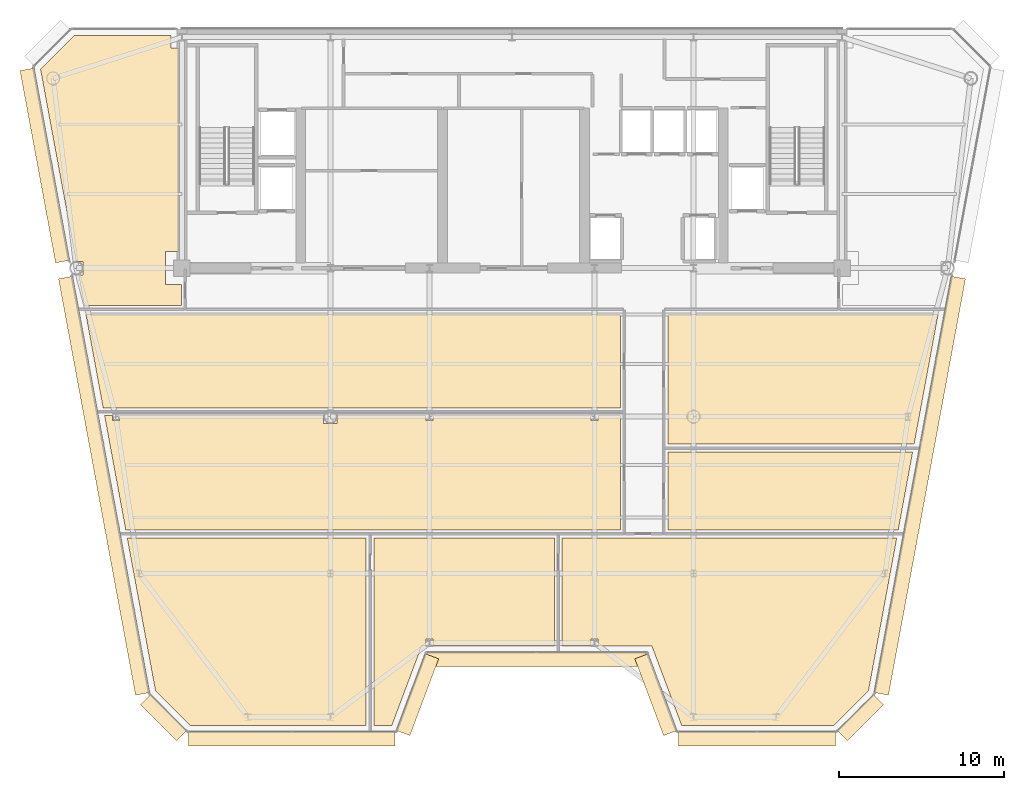
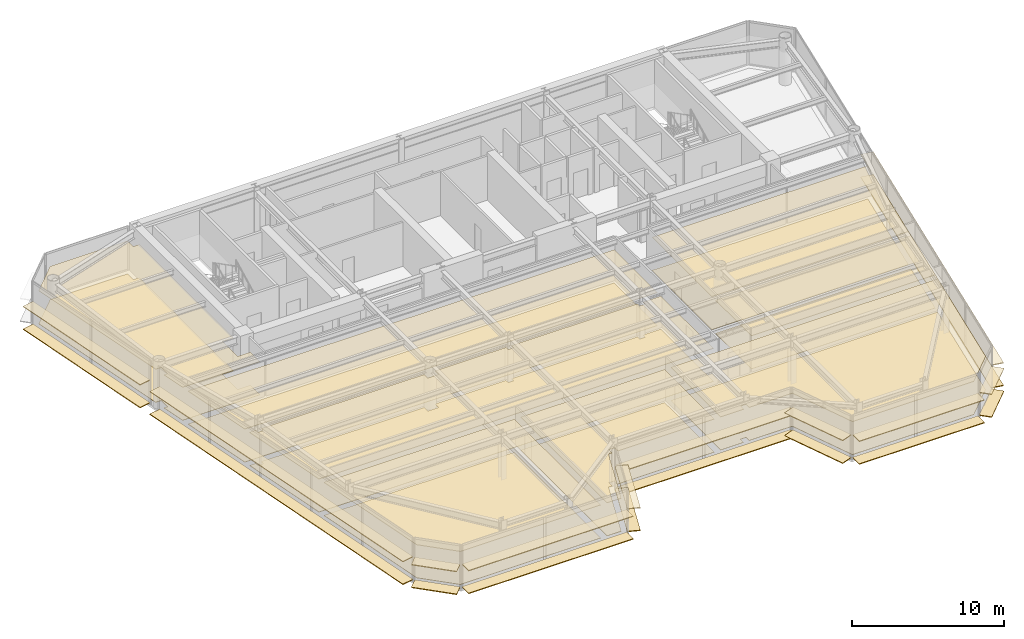
# One storey, part 14 of 17: 36 coverings.
"""IFC4 building model written with IfcOpenShell, lengths in metres."""

import ifcopenshell
import ifcopenshell.guid

model = None  # the IFC model being written
_history = None  # IfcOwnerHistory: only IFC2X3 demands one
_inside = {}  # id of a spatial element -> (the spatial element, [elements in it])
_under = {}  # id of a project, library or spatial element -> (it, [spatial elements below it])
_declared = {}  # id of a project -> (the project, [libraries it declares])
_typed = {}  # id of a type object -> (the type object, [elements of that type])
_made_of = {}  # id of a material, layer set ... -> (it, [elements and type objects made of it])


def new_model(schema):
    """Start an empty IFC model of exactly this schema.

    Asked for "IFC4X3", IfcOpenShell would pick the latest addendum, in which some entities
    have other attributes; the version numbers below select the first issue.
    IFC2X3 requires an IfcOwnerHistory on every rooted entity: one is made here for all.
    """
    global model, _history
    if schema == "IFC4X3":
        model = ifcopenshell.file(schema_version=(4, 3, 0, 0))
    else:
        model = ifcopenshell.file(schema=schema)
    _inside.clear()
    _under.clear()
    _declared.clear()
    _typed.clear()
    _made_of.clear()
    _history = None
    if model.schema == "IFC2X3":
        org = make("IfcOrganization", Name="unknown")
        user = make(
            "IfcPersonAndOrganization",
            ThePerson=make("IfcPerson", FamilyName="unknown"),
            TheOrganization=org,
        )
        app = make(
            "IfcApplication",
            ApplicationDeveloper=org,
            Version="unknown",
            ApplicationFullName="unknown",
            ApplicationIdentifier="unknown",
        )
        _history = make(
            "IfcOwnerHistory",
            OwningUser=user,
            OwningApplication=app,
            ChangeAction="ADDED",
            CreationDate=0,
        )
    return model


def make(cls, **values):
    """One entity of the class cls with the attributes given. An attribute that is None is left unset."""
    return model.create_entity(
        cls, **{name: value for name, value in values.items() if value is not None}
    )


def rooted(cls, **values):
    """An entity with a GlobalId (a new one), such as an element, a storey or a relation."""
    return make(cls, GlobalId=ifcopenshell.guid.new(), OwnerHistory=_history, **values)


def si_unit(unit_type, name, prefix=None):
    """IfcSIUnit, for example si_unit("LENGTHUNIT", "METRE", prefix="MILLI")."""
    return make("IfcSIUnit", UnitType=unit_type, Prefix=prefix, Name=name)


def assignment(units):
    """IfcUnitAssignment: the units of a project."""
    return None if units is None else make("IfcUnitAssignment", Units=units)


def point(xyz):
    """IfcCartesianPoint."""
    return None if xyz is None else make("IfcCartesianPoint", Coordinates=xyz)


def direction(xyz):
    """IfcDirection."""
    return None if xyz is None else make("IfcDirection", DirectionRatios=xyz)


def frame(location, z_axis=None, x_axis=None):
    """IfcAxis2Placement3D, a coordinate frame: its origin and axes. An axis left out is left unset."""
    return make(
        "IfcAxis2Placement3D",
        Location=point(location),
        Axis=direction(z_axis),
        RefDirection=direction(x_axis),
    )


def frame_2d(location, x_axis=None):
    """IfcAxis2Placement2D, a coordinate frame in the plane: its origin and x axis."""
    return make(
        "IfcAxis2Placement2D", Location=point(location), RefDirection=direction(x_axis)
    )


def origin():
    """The frame at (0, 0, 0) with its axes left unset."""
    return frame((0.0, 0.0, 0.0))


def origin_2d():
    """The frame at (0, 0) in the plane with its x axis left unset."""
    return frame_2d((0.0, 0.0))


def place(relative_to, where):
    """IfcLocalPlacement: puts the frame where relative to a parent placement (None: the world)."""
    return make(
        "IfcLocalPlacement", PlacementRelTo=relative_to, RelativePlacement=where
    )


def context(
    kind, dimensions, precision=None, world=None, true_north=None, identifier=None
):
    """IfcGeometricRepresentationContext, for example the 3D "Model" context."""
    return make(
        "IfcGeometricRepresentationContext",
        ContextIdentifier=identifier,
        ContextType=kind,
        CoordinateSpaceDimension=dimensions,
        Precision=precision,
        WorldCoordinateSystem=world,
        TrueNorth=true_north,
    )


def subcontext(parent, identifier, kind, view, scale=None):
    """IfcGeometricRepresentationSubContext, for example "Body" below "Model"."""
    return make(
        "IfcGeometricRepresentationSubContext",
        ContextIdentifier=identifier,
        ContextType=kind,
        ParentContext=parent,
        TargetScale=scale,
        TargetView=view,
    )


def project(units=None, contexts=None):
    """IfcProject with its units and contexts."""
    return rooted(
        "IfcProject",
        Name="project",
        RepresentationContexts=contexts,
        UnitsInContext=assignment(units),
    )


def spatial(cls, under=None, at=None, **own):
    """A site, building, storey or space (cls), placed at a placement, below another one or the project."""
    s = rooted(cls, ObjectPlacement=at, **own)
    if under is not None:
        _under.setdefault(under.id(), (under, []))[1].append(s)
    return s


def polyline(points):
    """IfcPolyline through the points."""
    return make("IfcPolyline", Points=[point(p) for p in points])


def profile(cls, at=None, kind="AREA", **sizes):
    """A parametric profile (cls). Its sizes go by their IFC names, for example OverallWidth=200.0."""
    return make(cls, ProfileType=kind, Position=at, **sizes)


def rectangle(**sizes):
    """IfcRectangleProfileDef."""
    return profile("IfcRectangleProfileDef", **sizes)


def outline(outer, holes=None, kind="AREA"):
    """IfcArbitraryClosedProfileDef: a profile drawn as a closed curve; with holes, ...WithVoids."""
    if holes is None:
        return make("IfcArbitraryClosedProfileDef", ProfileType=kind, OuterCurve=outer)
    return make(
        "IfcArbitraryProfileDefWithVoids",
        ProfileType=kind,
        OuterCurve=outer,
        InnerCurves=holes,
    )


def extrude(swept, where, along, depth):
    """IfcExtrudedAreaSolid: the profile swept, set in the frame where, extruded along a direction by depth."""
    return make(
        "IfcExtrudedAreaSolid",
        SweptArea=swept,
        Position=where,
        ExtrudedDirection=direction(along),
        Depth=depth,
    )


def shape(context_of_items, identifier, shape_type, items):
    """IfcShapeRepresentation: the items that make up one representation, for example the "Body"."""
    return make(
        "IfcShapeRepresentation",
        ContextOfItems=context_of_items,
        RepresentationIdentifier=identifier,
        RepresentationType=shape_type,
        Items=items,
    )


def source(mapping_origin, context_of_items, identifier, shape_type, items):
    """IfcRepresentationMap: a shape defined once, which mapped items show again and again."""
    return make(
        "IfcRepresentationMap",
        MappingOrigin=mapping_origin,
        MappedRepresentation=shape(context_of_items, identifier, shape_type, items),
    )


def transform(
    local_origin,
    x_axis=None,
    y_axis=None,
    z_axis=None,
    scale=None,
    scale2=None,
    scale3=None,
    uniform=True,
):
    """IfcCartesianTransformationOperator3D, or its non-uniform kind. x_axis, y_axis, z_axis: its Axis1, 2, 3."""
    if uniform:
        return make(
            "IfcCartesianTransformationOperator3D",
            Axis1=direction(x_axis),
            Axis2=direction(y_axis),
            LocalOrigin=point(local_origin),
            Scale=scale,
            Axis3=direction(z_axis),
        )
    return make(
        "IfcCartesianTransformationOperator3DnonUniform",
        Axis1=direction(x_axis),
        Axis2=direction(y_axis),
        LocalOrigin=point(local_origin),
        Scale=scale,
        Axis3=direction(z_axis),
        Scale2=scale2,
        Scale3=scale3,
    )


def mapped(mapping_source, mapping_target):
    """IfcMappedItem: shows the shape of a source again, moved by a transform."""
    return make(
        "IfcMappedItem", MappingSource=mapping_source, MappingTarget=mapping_target
    )


def material(Name=None, Category=None):
    """IfcMaterial."""
    return make("IfcMaterial", Name=Name, Category=Category)


def layer(
    of_material, thickness, ventilated=None, Name=None, Category=None, Priority=None
):
    """IfcMaterialLayer: one layer of a wall or slab, of a material (None: an air gap)."""
    return make(
        "IfcMaterialLayer",
        Material=of_material,
        LayerThickness=thickness,
        IsVentilated=ventilated,
        Name=Name,
        Category=Category,
        Priority=Priority,
    )


def layer_set(layers, Name=None):
    """IfcMaterialLayerSet."""
    return make("IfcMaterialLayerSet", MaterialLayers=layers, LayerSetName=Name)


def made_of(thing, what):
    """Note that an element or type object is made of a material, layer set ...; save() writes the relation."""
    if what is not None:
        _made_of.setdefault(what.id(), (what, []))[1].append(thing)
    return thing


def type_object(cls, material=None, **own):
    """A type object (cls), such as IfcWallType, which elements share."""
    return made_of(rooted(cls, **own), material)


def element(
    cls,
    number,
    at=None,
    inside=None,
    cuts=None,
    type_object=None,
    material=None,
    context=None,
    identifier="Body",
    shape_type=None,
    held_by="IfcProductDefinitionShape",
    body=None,
    shapes=None,
    **own,
):
    """One element of the class cls, such as IfcWall. Its Tag is "e" and its number.

    at: its placement. inside: the storey or other place that contains it. cuts: it is an
    opening in that element (IfcRelVoidsElement). A single representation is given by context,
    identifier, shape_type and body (its items); several are given by shapes. held_by: the class
    of the entity that holds the representations. save() writes the other relations.
    """
    e = rooted(cls, Tag="e%d" % number, ObjectPlacement=at, **own)
    if body is not None:
        shapes = [shape(context, identifier, shape_type, body)]
    if shapes is not None:
        e.Representation = make(held_by, Representations=shapes)
    if inside is not None:
        _inside.setdefault(inside.id(), (inside, []))[1].append(e)
    if cuts is not None:
        rooted(
            "IfcRelVoidsElement", RelatingBuildingElement=cuts, RelatedOpeningElement=e
        )
    if type_object is not None:
        _typed.setdefault(type_object.id(), (type_object, []))[1].append(e)
    return made_of(e, material)


def aggregate(whole, parts):
    """IfcRelAggregates: a whole, such as a stair, and the parts it consists of."""
    return rooted("IfcRelAggregates", RelatingObject=whole, RelatedObjects=parts)


def save(model, path):
    """Write the relations noted so far, then the file.

    IfcRelAggregates (storeys below a building ...), IfcRelContainedInSpatialStructure (elements
    in a storey), IfcRelDefinesByType, IfcRelAssociatesMaterial and IfcRelDeclares: one each for
    every whole, place, type object, material and project.
    """
    for whole, parts in _under.values():
        aggregate(whole, parts)
    for where, things in _inside.values():
        rooted(
            "IfcRelContainedInSpatialStructure",
            RelatedElements=things,
            RelatingStructure=where,
        )
    for kind, things in _typed.values():
        rooted("IfcRelDefinesByType", RelatedObjects=things, RelatingType=kind)
    for what, things in _made_of.values():
        rooted("IfcRelAssociatesMaterial", RelatedObjects=things, RelatingMaterial=what)
    for by, libraries in _declared.values():
        rooted("IfcRelDeclares", RelatingContext=by, RelatedDefinitions=libraries)
    model.write(path)


model = new_model("IFC4")

# Units and contexts
model_context = context("Model", 3, precision=1e-05, world=origin(), true_north=direction((0.0, 1.0)))
body_context = subcontext(model_context, "Body", "Model", "MODEL_VIEW")
ifc_project = project(units=[si_unit("LENGTHUNIT", "METRE"), si_unit("AREAUNIT", "SQUARE_METRE"), si_unit("VOLUMEUNIT", "CUBIC_METRE"), si_unit("PLANEANGLEUNIT", "RADIAN"), si_unit("MASSUNIT", "GRAM", prefix="KILO")], contexts=[model_context])

# Site, building, storey
site_placement = place(None, origin())
site = spatial("IfcSite", under=ifc_project, at=site_placement, CompositionType="ELEMENT")
building_placement = place(site_placement, origin())
building = spatial("IfcBuilding", under=site, at=building_placement, Name="Vaeldorn Concourse Tower", CompositionType="ELEMENT")
storey_placement = place(building_placement, frame((0.0, 0.0, 214.60009765625)))
storey = spatial("IfcBuildingStorey", under=building, at=storey_placement, Name="L55", CompositionType="ELEMENT", Elevation=214.60009765625)

# Coverings
ifc_material_1 = material(Name="Acoustic Mineral Fibre Board", Category="gypsum")
ifc_layer_1 = layer(ifc_material_1, 0.0400390625)
ifc_layer_set_1 = layer_set([ifc_layer_1], Name="Acoustic Mineral Fibre Board")
covering_type_1 = type_object("IfcCoveringType", Name="COV-CEIL-ACOUSTIC", PredefinedType="CEILING", material=ifc_layer_set_1)
covering_1_placement = place(storey_placement, frame((0.0, 0.0, 2.64990234375)))
element("IfcCovering", 1, at=covering_1_placement, inside=storey, type_object=covering_type_1, Name="Suspended Acoustic Ceiling L55-3", PredefinedType="CEILING", context=body_context, shape_type="SweptSolid", body=[
    extrude(outline(polyline([(7.4658203125, 50.60009765625), (13.340087890625, 50.60009765625), (13.340087890625, 49.840087890625), (13.820068359375, 49.840087890625), (13.820068359375, 37.5), (13.0, 37.5), (13.0, 35.5), (13.9599609375, 35.5), (13.9599609375, 34.239990234375), (8.08154296875, 34.239990234375), (7.73876953125, 36.093505859375), (8.006591796875, 36.093505859375), (8.006591796875, 36.906494140625), (7.58837890625, 36.906494140625), (5.431640625, 48.56591796875), (7.4658203125, 50.60009765625)])), origin(), (0.0, 0.0, 1.0), 0.0400390625),
])
covering_2_placement = place(storey_placement, frame((0.0, 0.0, 2.64990234375)))
element("IfcCovering", 2, at=covering_2_placement, inside=storey, type_object=covering_type_1, Name="Suspended Acoustic Ceiling L55-5", PredefinedType="CEILING", context=body_context, shape_type="SweptSolid", body=[
    extrude(outline(polyline([(9.7939453125, 27.56005859375), (9.7939453125, 27.282470703125), (10.2060546875, 27.282470703125), (10.2060546875, 27.56005859375), (22.593505859375, 27.56005859375), (22.593505859375, 27.093505859375), (23.406494140625, 27.093505859375), (23.406494140625, 27.56005859375), (28.7939453125, 27.56005859375), (28.7939453125, 27.282470703125), (29.2060546875, 27.282470703125), (29.2060546875, 27.56005859375), (38.7939453125, 27.56005859375), (38.7939453125, 27.282470703125), (39.2060546875, 27.282470703125), (39.2060546875, 27.56005859375), (40.56005859375, 27.56005859375), (40.56005859375, 20.639892578125), (10.59716796875, 20.639892578125), (9.317138671875, 27.56005859375), (9.7939453125, 27.56005859375)])), origin(), (0.0, 0.0, 1.0), 0.0400390625),
])
covering_3_placement = place(storey_placement, frame((0.0, 0.0, 2.64990234375)))
element("IfcCovering", 3, at=covering_3_placement, inside=storey, type_object=covering_type_1, Name="Suspended Acoustic Ceiling L55-6", PredefinedType="CEILING", context=body_context, shape_type="SweptSolid", body=[
    extrude(outline(polyline([(40.56005859375, 33.699951171875), (40.56005859375, 28.0400390625), (9.228515625, 28.0400390625), (8.181396484375, 33.699951171875), (40.56005859375, 33.699951171875)])), origin(), (0.0, 0.0, 1.0), 0.0400390625),
])
covering_4_placement = place(storey_placement, frame((0.0, 0.0, 2.64990234375)))
element("IfcCovering", 4, at=covering_4_placement, inside=storey, type_object=covering_type_1, Name="Suspended Acoustic Ceiling L55-7", PredefinedType="CEILING", context=body_context, shape_type="SweptSolid", body=[
    extrude(outline(polyline([(43.43994140625, 20.639892578125), (43.43994140625, 25.360107421875), (58.27587890625, 25.360107421875), (57.40283203125, 20.639892578125), (43.43994140625, 20.639892578125)])), origin(), (0.0, 0.0, 1.0), 0.0400390625),
])
covering_5_placement = place(storey_placement, frame((0.0, 0.0, 2.64990234375)))
element("IfcCovering", 5, at=covering_5_placement, inside=storey, type_object=covering_type_1, Name="Suspended Acoustic Ceiling L55-8", PredefinedType="CEILING", context=body_context, shape_type="SweptSolid", body=[
    extrude(outline(polyline([(43.43994140625, 25.840087890625), (43.43994140625, 33.699951171875), (59.818603515625, 33.699951171875), (58.36474609375, 25.840087890625), (43.43994140625, 25.840087890625)])), origin(), (0.0, 0.0, 1.0), 0.0400390625),
])
covering_6_placement = place(storey_placement, frame((0.0, 0.0, 2.64990234375)))
element("IfcCovering", 6, at=covering_6_placement, inside=storey, type_object=covering_type_1, Name="Suspended Acoustic Ceiling L55-9", PredefinedType="CEILING", context=body_context, shape_type="SweptSolid", body=[
    extrude(outline(polyline([(25.159912109375, 20.159912109375), (25.159912109375, 8.800048828125), (14.49462890625, 8.800048828125), (12.399658203125, 10.89501953125), (11.6796875, 14.787109375), (11.589111328125, 15.276611328125), (11.20751953125, 17.340087890625), (11.20751953125, 17.340087890625), (10.685791015625, 20.159912109375), (25.159912109375, 20.159912109375)])), origin(), (0.0, 0.0, 1.0), 0.0400390625),
])
covering_7_placement = place(storey_placement, frame((0.0, 0.0, 2.64990234375)))
element("IfcCovering", 7, at=covering_7_placement, inside=storey, type_object=covering_type_1, Name="Suspended Acoustic Ceiling L55-10", PredefinedType="CEILING", context=body_context, shape_type="SweptSolid", body=[
    extrude(outline(polyline([(26.722900390625, 8.800048828125), (25.639892578125, 8.800048828125), (25.639892578125, 20.159912109375), (36.56005859375, 20.159912109375), (36.56005859375, 13.60009765625), (29.2060546875, 13.60009765625), (29.2060546875, 14.017578125), (28.7939453125, 14.017578125), (28.7939453125, 13.60009765625), (28.522705078125, 13.60009765625), (26.722900390625, 8.800048828125)])), origin(), (0.0, 0.0, 1.0), 0.0400390625),
])
covering_8_placement = place(storey_placement, frame((0.0, 0.0, 2.64990234375)))
element("IfcCovering", 8, at=covering_8_placement, inside=storey, type_object=covering_type_1, Name="Suspended Acoustic Ceiling L55-11", PredefinedType="CEILING", context=body_context, shape_type="SweptSolid", body=[
    extrude(outline(polyline([(37.0400390625, 20.159912109375), (57.314208984375, 20.159912109375), (56.973876953125, 18.321044921875), (56.410888671875, 15.276611328125), (55.600341796875, 10.89501953125), (53.50537109375, 8.800048828125), (44.277099609375, 8.800048828125), (42.477294921875, 13.60009765625), (39.2060546875, 13.60009765625), (39.2060546875, 14.017578125), (38.7939453125, 14.017578125), (38.7939453125, 13.60009765625), (37.0400390625, 13.60009765625), (37.0400390625, 20.159912109375)])), origin(), (0.0, 0.0, 1.0), 0.0400390625),
])
ifc_material_2 = material(Name="Honed Limestone Terrazzo Flooring", Category="masonry")
ifc_layer_2 = layer(ifc_material_2, 0.0400390625)
ifc_layer_set_2 = layer_set([ifc_layer_2], Name="Honed Limestone Terrazzo Flooring")
covering_type_2 = type_object("IfcCoveringType", Name="COV-FLOOR-STONE", PredefinedType="FLOORING", material=ifc_layer_set_2)
covering_9_placement = place(storey_placement, origin())
element("IfcCovering", 9, at=covering_9_placement, inside=storey, type_object=covering_type_2, Name="Floor Finish Covering L55-3", PredefinedType="FLOORING", context=body_context, shape_type="SweptSolid", body=[
    extrude(outline(polyline([(7.4658203125, 50.60009765625), (13.340087890625, 50.60009765625), (13.340087890625, 49.840087890625), (13.820068359375, 49.840087890625), (13.820068359375, 37.5), (13.0, 37.5), (13.0, 35.5), (13.9599609375, 35.5), (13.9599609375, 34.239990234375), (8.08154296875, 34.239990234375), (7.73876953125, 36.093505859375), (8.006591796875, 36.093505859375), (8.006591796875, 36.906494140625), (7.58837890625, 36.906494140625), (5.431640625, 48.56591796875), (7.4658203125, 50.60009765625)])), origin(), (0.0, 0.0, 1.0), 0.02978515625),
])
covering_10_placement = place(storey_placement, origin())
element("IfcCovering", 10, at=covering_10_placement, inside=storey, type_object=covering_type_2, Name="Floor Finish Covering L55-5", PredefinedType="FLOORING", context=body_context, shape_type="SweptSolid", body=[
    extrude(outline(polyline([(9.7939453125, 27.56005859375), (9.7939453125, 27.282470703125), (10.2060546875, 27.282470703125), (10.2060546875, 27.56005859375), (22.593505859375, 27.56005859375), (22.593505859375, 27.093505859375), (23.406494140625, 27.093505859375), (23.406494140625, 27.56005859375), (28.7939453125, 27.56005859375), (28.7939453125, 27.282470703125), (29.2060546875, 27.282470703125), (29.2060546875, 27.56005859375), (38.7939453125, 27.56005859375), (38.7939453125, 27.282470703125), (39.2060546875, 27.282470703125), (39.2060546875, 27.56005859375), (40.56005859375, 27.56005859375), (40.56005859375, 20.639892578125), (10.59716796875, 20.639892578125), (9.317138671875, 27.56005859375), (9.7939453125, 27.56005859375)])), origin(), (0.0, 0.0, 1.0), 0.02978515625),
])
covering_11_placement = place(storey_placement, origin())
element("IfcCovering", 11, at=covering_11_placement, inside=storey, type_object=covering_type_2, Name="Floor Finish Covering L55-6", PredefinedType="FLOORING", context=body_context, shape_type="SweptSolid", body=[
    extrude(outline(polyline([(40.56005859375, 33.699951171875), (40.56005859375, 28.0400390625), (9.228515625, 28.0400390625), (8.181396484375, 33.699951171875), (40.56005859375, 33.699951171875)])), origin(), (0.0, 0.0, 1.0), 0.02978515625),
])
covering_12_placement = place(storey_placement, origin())
element("IfcCovering", 12, at=covering_12_placement, inside=storey, type_object=covering_type_2, Name="Floor Finish Covering L55-7", PredefinedType="FLOORING", context=body_context, shape_type="SweptSolid", body=[
    extrude(outline(polyline([(43.43994140625, 20.639892578125), (43.43994140625, 25.360107421875), (58.27587890625, 25.360107421875), (57.40283203125, 20.639892578125), (43.43994140625, 20.639892578125)])), origin(), (0.0, 0.0, 1.0), 0.02978515625),
])
covering_13_placement = place(storey_placement, origin())
element("IfcCovering", 13, at=covering_13_placement, inside=storey, type_object=covering_type_2, Name="Floor Finish Covering L55-8", PredefinedType="FLOORING", context=body_context, shape_type="SweptSolid", body=[
    extrude(outline(polyline([(43.43994140625, 25.840087890625), (43.43994140625, 33.699951171875), (59.818603515625, 33.699951171875), (58.36474609375, 25.840087890625), (43.43994140625, 25.840087890625)])), origin(), (0.0, 0.0, 1.0), 0.02978515625),
])
covering_14_placement = place(storey_placement, origin())
element("IfcCovering", 14, at=covering_14_placement, inside=storey, type_object=covering_type_2, Name="Floor Finish Covering L55-9", PredefinedType="FLOORING", context=body_context, shape_type="SweptSolid", body=[
    extrude(outline(polyline([(25.159912109375, 20.159912109375), (25.159912109375, 8.800048828125), (14.49462890625, 8.800048828125), (12.399658203125, 10.89501953125), (11.6796875, 14.787109375), (11.589111328125, 15.276611328125), (11.20751953125, 17.340087890625), (11.20751953125, 17.340087890625), (10.685791015625, 20.159912109375), (25.159912109375, 20.159912109375)])), origin(), (0.0, 0.0, 1.0), 0.02978515625),
])
covering_15_placement = place(storey_placement, origin())
element("IfcCovering", 15, at=covering_15_placement, inside=storey, type_object=covering_type_2, Name="Floor Finish Covering L55-10", PredefinedType="FLOORING", context=body_context, shape_type="SweptSolid", body=[
    extrude(outline(polyline([(26.722900390625, 8.800048828125), (25.639892578125, 8.800048828125), (25.639892578125, 20.159912109375), (36.56005859375, 20.159912109375), (36.56005859375, 13.60009765625), (29.2060546875, 13.60009765625), (29.2060546875, 14.017578125), (28.7939453125, 14.017578125), (28.7939453125, 13.60009765625), (28.522705078125, 13.60009765625), (26.722900390625, 8.800048828125)])), origin(), (0.0, 0.0, 1.0), 0.02978515625),
])
covering_16_placement = place(storey_placement, origin())
element("IfcCovering", 16, at=covering_16_placement, inside=storey, type_object=covering_type_2, Name="Floor Finish Covering L55-11", PredefinedType="FLOORING", context=body_context, shape_type="SweptSolid", body=[
    extrude(outline(polyline([(37.0400390625, 20.159912109375), (57.314208984375, 20.159912109375), (56.973876953125, 18.321044921875), (56.410888671875, 15.276611328125), (55.600341796875, 10.89501953125), (53.50537109375, 8.800048828125), (44.277099609375, 8.800048828125), (42.477294921875, 13.60009765625), (39.2060546875, 13.60009765625), (39.2060546875, 14.017578125), (38.7939453125, 14.017578125), (38.7939453125, 13.60009765625), (37.0400390625, 13.60009765625), (37.0400390625, 20.159912109375)])), origin(), (0.0, 0.0, 1.0), 0.02978515625),
])
ifc_material_3 = material(Name="Anodised Bronze Aluminium", Category="aluminium")
ifc_layer_3 = layer(ifc_material_3, 0.06494140625)
ifc_layer_set_3 = layer_set([ifc_layer_3], Name="Anodised Bronze Aluminium")
covering_type_3 = type_object("IfcCoveringType", Name="SD-BRONZE-SUNSHADE", PredefinedType="USERDEFINED", material=ifc_layer_set_3)
shared_shape_1 = source(origin(), body_context, "Body", "SweptSolid", [
    extrude(rectangle(XDim=4.96630859375, YDim=0.8798828125, at=origin_2d()), origin(), (0.0, 0.0, 1.0), 0.06494140625),
])
for number, where, z_axis, x_axis, name in (
    (17, (28.2744140625, 10.65966796875, 0.04736328125), (0.0, 0.0, 1.0), (0.351122702609, 0.936329454686, 0.0), "Horizontal Bronze Sunshade L55-E02.1.1"),
    (18, (28.2744140625, 10.65966796875, 1.867431640625), (0.0, 0.0, 1.0), (0.351122702609, 0.936329454686, 0.0), "Horizontal Bronze Sunshade L55-E02.1.2"),
    (19, (42.7255859375, 10.65966796875, 0.04736328125), (0.0, 0.0, 1.0), (0.351122702609, -0.936329454686, 0.0), "Horizontal Bronze Sunshade L55-E04.1.1"),
    (20, (42.7255859375, 10.65966796875, 1.867431640625), (0.0, 0.0, 1.0), (0.351122702609, -0.936329454686, 0.0), "Horizontal Bronze Sunshade L55-E04.1.2"),
):
    element("IfcCovering", number, at=place(storey_placement, frame(where, z_axis=z_axis, x_axis=x_axis)), inside=storey, type_object=covering_type_3, Name=name, ObjectType="SUNSHADE", PredefinedType="USERDEFINED", context=body_context, shape_type="MappedRepresentation", body=[
        mapped(shared_shape_1, transform((0.0, 0.0, 0.0), scale=1.0)),
    ])
shared_shape_2 = source(origin(), body_context, "Body", "SweptSolid", [
    extrude(rectangle(XDim=13.239990234375, YDim=0.8798828125, at=origin_2d()), origin(), (0.0, 0.0, 1.0), 0.06494140625),
])
for number, where, z_axis, x_axis, name in (
    (21, (35.5, 12.800048828125, 0.04736328125), (0.0, 0.0, 1.0), (1.0, 0.0, 0.0), "Horizontal Bronze Sunshade L55-E03.1.1"),
    (22, (35.5, 12.800048828125, 1.867431640625), (0.0, 0.0, 1.0), (1.0, 0.0, 0.0), "Horizontal Bronze Sunshade L55-E03.1.2"),
):
    element("IfcCovering", number, at=place(storey_placement, frame(where, z_axis=z_axis, x_axis=x_axis)), inside=storey, type_object=covering_type_3, Name=name, ObjectType="SUNSHADE", PredefinedType="USERDEFINED", context=body_context, shape_type="MappedRepresentation", body=[
        mapped(shared_shape_2, transform((0.0, 0.0, 0.0), scale=1.0)),
    ])
shared_shape_3 = source(origin(), body_context, "Body", "SweptSolid", [
    extrude(rectangle(XDim=3.0927734375, YDim=0.8798828125, at=origin_2d()), origin(), (0.0, 0.0, 1.0), 0.06494140625),
])
for number, where, z_axis, x_axis, name in (
    (23, (55.103759765625, 9.26708984375, 0.04736328125), (0.0, 0.0, 1.0), (0.707106781187, 0.707106781187, 0.0), "Horizontal Bronze Sunshade L55-E06.1.1"),
    (24, (55.103759765625, 9.26708984375, 1.867431640625), (0.0, 0.0, 1.0), (0.707106781187, 0.707106781187, 0.0), "Horizontal Bronze Sunshade L55-E06.1.2"),
    (25, (12.896240234375, 9.26708984375, 0.04736328125), (0.0, 0.0, 1.0), (0.707106781187, -0.707106781187, 0.0), "Horizontal Bronze Sunshade L55-E12.1.1"),
    (26, (12.896240234375, 9.26708984375, 1.867431640625), (0.0, 0.0, 1.0), (0.707106781187, -0.707106781187, 0.0), "Horizontal Bronze Sunshade L55-E12.1.2"),
):
    element("IfcCovering", number, at=place(storey_placement, frame(where, z_axis=z_axis, x_axis=x_axis)), inside=storey, type_object=covering_type_3, Name=name, ObjectType="SUNSHADE", PredefinedType="USERDEFINED", context=body_context, shape_type="MappedRepresentation", body=[
        mapped(shared_shape_3, transform((0.0, 0.0, 0.0), scale=1.0)),
    ])
shared_shape_4 = source(origin(), body_context, "Body", "SweptSolid", [
    extrude(rectangle(XDim=25.654052734375, YDim=0.8798828125, at=origin_2d()), origin(), (0.0, 0.0, 1.0), 0.06494140625),
])
for number, where, z_axis, x_axis, name in (
    (27, (58.7119140625, 23.319091796875, 0.04736328125), (0.0, 0.0, 1.0), (0.181892293686, 0.983318459858, 0.0), "Horizontal Bronze Sunshade L55-E07.1.1"),
    (28, (58.7119140625, 23.319091796875, 1.867431640625), (0.0, 0.0, 1.0), (0.181892293686, 0.983318459858, 0.0), "Horizontal Bronze Sunshade L55-E07.1.2"),
    (29, (9.2880859375, 23.319091796875, 0.04736328125), (0.0, 0.0, 1.0), (0.181892293686, -0.983318459858, 0.0), "Horizontal Bronze Sunshade L55-E11.2.1"),
    (30, (9.2880859375, 23.319091796875, 1.867431640625), (0.0, 0.0, 1.0), (0.181892293686, -0.983318459858, 0.0), "Horizontal Bronze Sunshade L55-E11.2.2"),
):
    element("IfcCovering", number, at=place(storey_placement, frame(where, z_axis=z_axis, x_axis=x_axis)), inside=storey, type_object=covering_type_3, Name=name, ObjectType="SUNSHADE", PredefinedType="USERDEFINED", context=body_context, shape_type="MappedRepresentation", body=[
        mapped(shared_shape_4, transform((0.0, 0.0, 0.0), scale=1.0)),
    ])
shared_shape_5 = source(origin(), body_context, "Body", "SweptSolid", [
    extrude(rectangle(XDim=11.844482421875, YDim=0.8798828125, at=origin_2d()), origin(), (0.0, 0.0, 1.0), 0.06494140625),
])
for number, where, z_axis, x_axis, name in (
    (31, (5.698486328125, 42.72509765625, 0.04736328125), (0.0, 0.0, 1.0), (0.181892293686, -0.983318459858, 0.0), "Horizontal Bronze Sunshade L55-E11.1.1"),
    (32, (5.698486328125, 42.72509765625, 1.867431640625), (0.0, 0.0, 1.0), (0.181892293686, -0.983318459858, 0.0), "Horizontal Bronze Sunshade L55-E11.1.2"),
):
    element("IfcCovering", number, at=place(storey_placement, frame(where, z_axis=z_axis, x_axis=x_axis)), inside=storey, type_object=covering_type_3, Name=name, ObjectType="SUNSHADE", PredefinedType="USERDEFINED", context=body_context, shape_type="MappedRepresentation", body=[
        mapped(shared_shape_5, transform((0.0, 0.0, 0.0), scale=1.0)),
    ])
shared_shape_6 = source(origin(), body_context, "Body", "SweptSolid", [
    extrude(rectangle(XDim=12.510986328125, YDim=0.8798828125, at=origin_2d()), origin(), (0.0, 0.0, 1.0), 0.06494140625),
])
for number, where, z_axis, x_axis, name in (
    (33, (20.66455078125, 8.0, 0.04736328125), (0.0, 0.0, 1.0), (1.0, 0.0, 0.0), "Horizontal Bronze Sunshade L55-E01.1.1"),
    (34, (20.66455078125, 8.0, 1.867431640625), (0.0, 0.0, 1.0), (1.0, 0.0, 0.0), "Horizontal Bronze Sunshade L55-E01.1.2"),
):
    element("IfcCovering", number, at=place(storey_placement, frame(where, z_axis=z_axis, x_axis=x_axis)), inside=storey, type_object=covering_type_3, Name=name, ObjectType="SUNSHADE", PredefinedType="USERDEFINED", context=body_context, shape_type="MappedRepresentation", body=[
        mapped(shared_shape_6, transform((0.0, 0.0, 0.0), scale=1.0)),
    ])
shared_shape_7 = source(origin(), body_context, "Body", "SweptSolid", [
    extrude(rectangle(XDim=9.510986328125, YDim=0.8798828125, at=origin_2d()), origin(), (0.0, 0.0, 1.0), 0.06494140625),
])
for number, where, z_axis, x_axis, name in (
    (35, (48.83544921875, 8.0, 0.04736328125), (0.0, 0.0, 1.0), (1.0, 0.0, 0.0), "Horizontal Bronze Sunshade L55-E05.1.1"),
    (36, (48.83544921875, 8.0, 1.867431640625), (0.0, 0.0, 1.0), (1.0, 0.0, 0.0), "Horizontal Bronze Sunshade L55-E05.1.2"),
):
    element("IfcCovering", number, at=place(storey_placement, frame(where, z_axis=z_axis, x_axis=x_axis)), inside=storey, type_object=covering_type_3, Name=name, ObjectType="SUNSHADE", PredefinedType="USERDEFINED", context=body_context, shape_type="MappedRepresentation", body=[
        mapped(shared_shape_7, transform((0.0, 0.0, 0.0), scale=1.0)),
    ])

save(model, "model.ifc")
